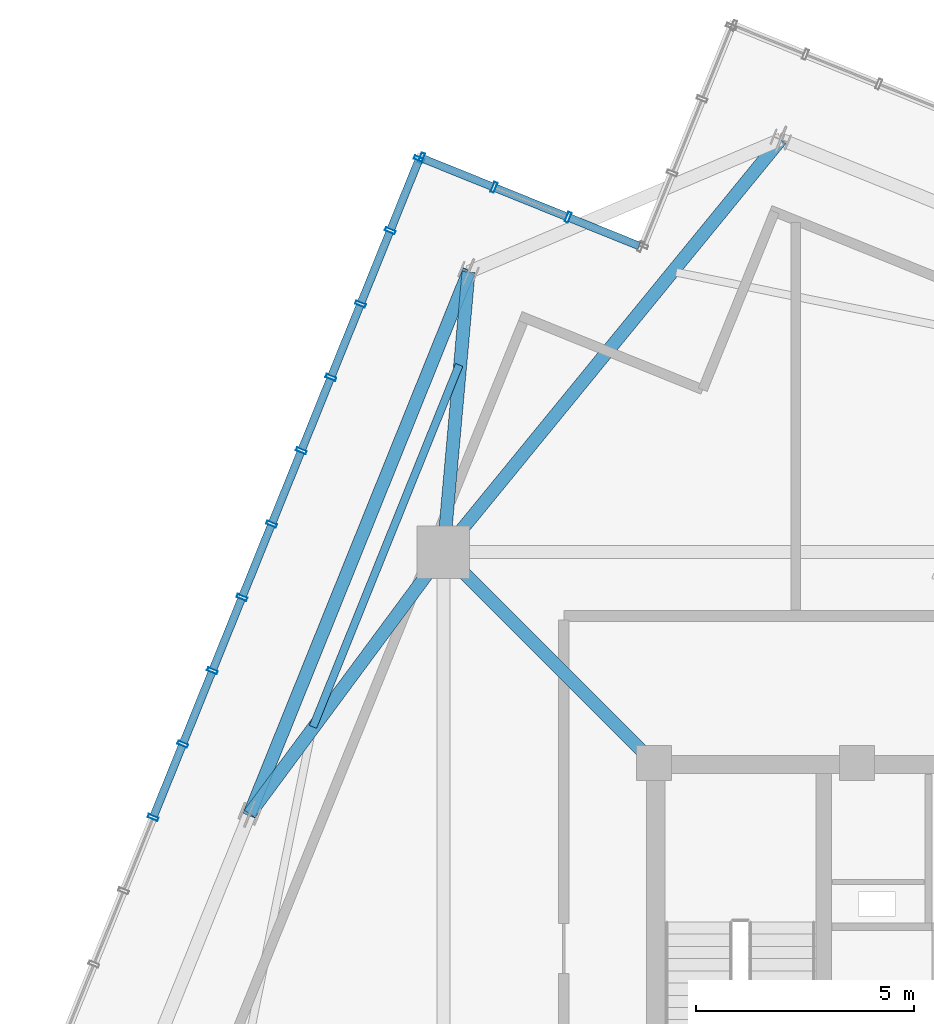
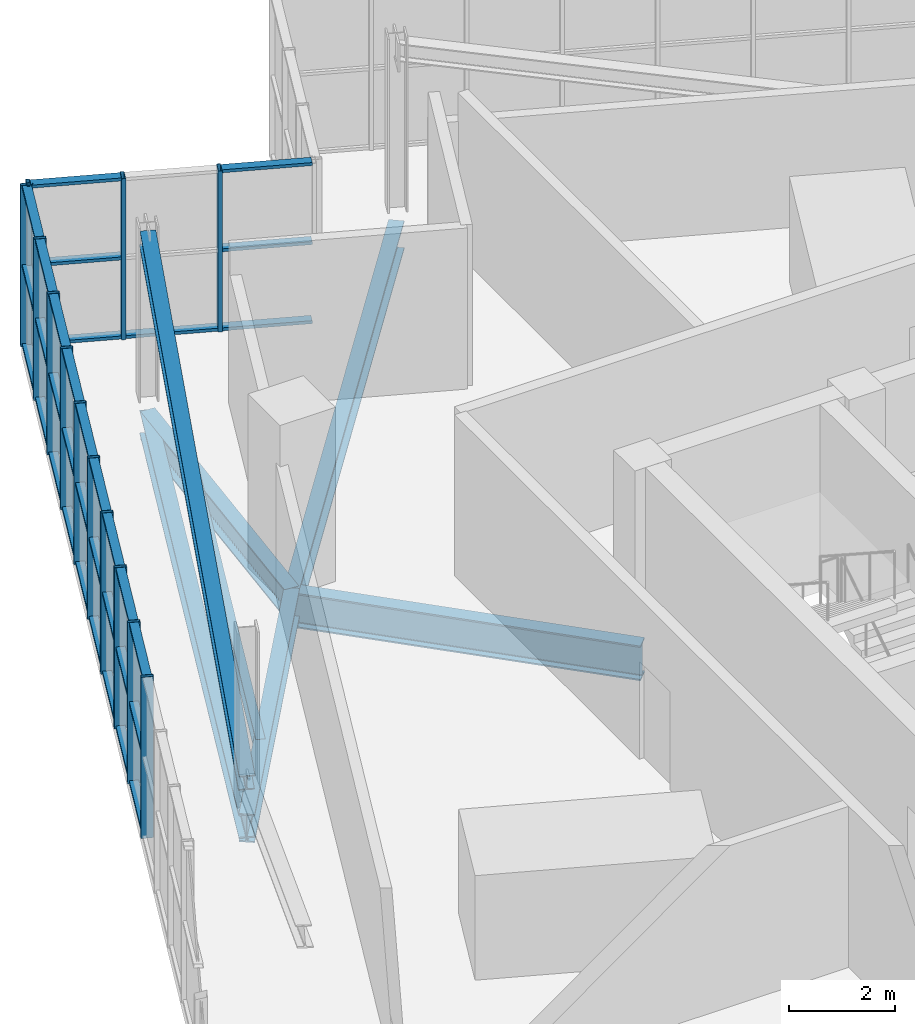
# One storey, part 12 of 26: 48 members, 6 beams, 2 elements without a shape of their own.
"""IFC4 building model written with IfcOpenShell, lengths in metres."""

import ifcopenshell
import ifcopenshell.guid

model = None  # the IFC model being written
_history = None  # IfcOwnerHistory: only IFC2X3 demands one
_inside = {}  # id of a spatial element -> (the spatial element, [elements in it])
_under = {}  # id of a project, library or spatial element -> (it, [spatial elements below it])
_declared = {}  # id of a project -> (the project, [libraries it declares])
_typed = {}  # id of a type object -> (the type object, [elements of that type])
_made_of = {}  # id of a material, layer set ... -> (it, [elements and type objects made of it])


def new_model(schema):
    """Start an empty IFC model of exactly this schema.

    Asked for "IFC4X3", IfcOpenShell would pick the latest addendum, in which some entities
    have other attributes; the version numbers below select the first issue.
    IFC2X3 requires an IfcOwnerHistory on every rooted entity: one is made here for all.
    """
    global model, _history
    if schema == "IFC4X3":
        model = ifcopenshell.file(schema_version=(4, 3, 0, 0))
    else:
        model = ifcopenshell.file(schema=schema)
    _inside.clear()
    _under.clear()
    _declared.clear()
    _typed.clear()
    _made_of.clear()
    _history = None
    if model.schema == "IFC2X3":
        org = make("IfcOrganization", Name="unknown")
        user = make(
            "IfcPersonAndOrganization",
            ThePerson=make("IfcPerson", FamilyName="unknown"),
            TheOrganization=org,
        )
        app = make(
            "IfcApplication",
            ApplicationDeveloper=org,
            Version="unknown",
            ApplicationFullName="unknown",
            ApplicationIdentifier="unknown",
        )
        _history = make(
            "IfcOwnerHistory",
            OwningUser=user,
            OwningApplication=app,
            ChangeAction="ADDED",
            CreationDate=0,
        )
    return model


def make(cls, **values):
    """One entity of the class cls with the attributes given. An attribute that is None is left unset."""
    return model.create_entity(
        cls, **{name: value for name, value in values.items() if value is not None}
    )


def rooted(cls, **values):
    """An entity with a GlobalId (a new one), such as an element, a storey or a relation."""
    return make(cls, GlobalId=ifcopenshell.guid.new(), OwnerHistory=_history, **values)


def si_unit(unit_type, name, prefix=None):
    """IfcSIUnit, for example si_unit("LENGTHUNIT", "METRE", prefix="MILLI")."""
    return make("IfcSIUnit", UnitType=unit_type, Prefix=prefix, Name=name)


def assignment(units):
    """IfcUnitAssignment: the units of a project."""
    return None if units is None else make("IfcUnitAssignment", Units=units)


def point(xyz):
    """IfcCartesianPoint."""
    return None if xyz is None else make("IfcCartesianPoint", Coordinates=xyz)


def direction(xyz):
    """IfcDirection."""
    return None if xyz is None else make("IfcDirection", DirectionRatios=xyz)


def frame(location, z_axis=None, x_axis=None):
    """IfcAxis2Placement3D, a coordinate frame: its origin and axes. An axis left out is left unset."""
    return make(
        "IfcAxis2Placement3D",
        Location=point(location),
        Axis=direction(z_axis),
        RefDirection=direction(x_axis),
    )


def frame_2d(location, x_axis=None):
    """IfcAxis2Placement2D, a coordinate frame in the plane: its origin and x axis."""
    return make(
        "IfcAxis2Placement2D", Location=point(location), RefDirection=direction(x_axis)
    )


def origin():
    """The frame at (0, 0, 0) with its axes left unset."""
    return frame((0.0, 0.0, 0.0))


def origin_2d():
    """The frame at (0, 0) in the plane with its x axis left unset."""
    return frame_2d((0.0, 0.0))


def place(relative_to, where):
    """IfcLocalPlacement: puts the frame where relative to a parent placement (None: the world)."""
    return make(
        "IfcLocalPlacement", PlacementRelTo=relative_to, RelativePlacement=where
    )


def context(
    kind, dimensions, precision=None, world=None, true_north=None, identifier=None
):
    """IfcGeometricRepresentationContext, for example the 3D "Model" context."""
    return make(
        "IfcGeometricRepresentationContext",
        ContextIdentifier=identifier,
        ContextType=kind,
        CoordinateSpaceDimension=dimensions,
        Precision=precision,
        WorldCoordinateSystem=world,
        TrueNorth=true_north,
    )


def subcontext(parent, identifier, kind, view, scale=None):
    """IfcGeometricRepresentationSubContext, for example "Body" below "Model"."""
    return make(
        "IfcGeometricRepresentationSubContext",
        ContextIdentifier=identifier,
        ContextType=kind,
        ParentContext=parent,
        TargetScale=scale,
        TargetView=view,
    )


def project(units=None, contexts=None):
    """IfcProject with its units and contexts."""
    return rooted(
        "IfcProject",
        Name="project",
        RepresentationContexts=contexts,
        UnitsInContext=assignment(units),
    )


def spatial(cls, under=None, at=None, **own):
    """A site, building, storey or space (cls), placed at a placement, below another one or the project."""
    s = rooted(cls, ObjectPlacement=at, **own)
    if under is not None:
        _under.setdefault(under.id(), (under, []))[1].append(s)
    return s


def profile(cls, at=None, kind="AREA", **sizes):
    """A parametric profile (cls). Its sizes go by their IFC names, for example OverallWidth=200.0."""
    return make(cls, ProfileType=kind, Position=at, **sizes)


def hollow_rectangle(**sizes):
    """IfcRectangleHollowProfileDef."""
    return profile("IfcRectangleHollowProfileDef", **sizes)


def i_section(**sizes):
    """IfcIShapeProfileDef."""
    return profile("IfcIShapeProfileDef", **sizes)


def extrude(swept, where, along, depth):
    """IfcExtrudedAreaSolid: the profile swept, set in the frame where, extruded along a direction by depth."""
    return make(
        "IfcExtrudedAreaSolid",
        SweptArea=swept,
        Position=where,
        ExtrudedDirection=direction(along),
        Depth=depth,
    )


def shape(context_of_items, identifier, shape_type, items):
    """IfcShapeRepresentation: the items that make up one representation, for example the "Body"."""
    return make(
        "IfcShapeRepresentation",
        ContextOfItems=context_of_items,
        RepresentationIdentifier=identifier,
        RepresentationType=shape_type,
        Items=items,
    )


def source(mapping_origin, context_of_items, identifier, shape_type, items):
    """IfcRepresentationMap: a shape defined once, which mapped items show again and again."""
    return make(
        "IfcRepresentationMap",
        MappingOrigin=mapping_origin,
        MappedRepresentation=shape(context_of_items, identifier, shape_type, items),
    )


def transform(
    local_origin,
    x_axis=None,
    y_axis=None,
    z_axis=None,
    scale=None,
    scale2=None,
    scale3=None,
    uniform=True,
):
    """IfcCartesianTransformationOperator3D, or its non-uniform kind. x_axis, y_axis, z_axis: its Axis1, 2, 3."""
    if uniform:
        return make(
            "IfcCartesianTransformationOperator3D",
            Axis1=direction(x_axis),
            Axis2=direction(y_axis),
            LocalOrigin=point(local_origin),
            Scale=scale,
            Axis3=direction(z_axis),
        )
    return make(
        "IfcCartesianTransformationOperator3DnonUniform",
        Axis1=direction(x_axis),
        Axis2=direction(y_axis),
        LocalOrigin=point(local_origin),
        Scale=scale,
        Axis3=direction(z_axis),
        Scale2=scale2,
        Scale3=scale3,
    )


def mapped(mapping_source, mapping_target):
    """IfcMappedItem: shows the shape of a source again, moved by a transform."""
    return make(
        "IfcMappedItem", MappingSource=mapping_source, MappingTarget=mapping_target
    )


def material(Name=None, Category=None):
    """IfcMaterial."""
    return make("IfcMaterial", Name=Name, Category=Category)


def layer(
    of_material, thickness, ventilated=None, Name=None, Category=None, Priority=None
):
    """IfcMaterialLayer: one layer of a wall or slab, of a material (None: an air gap)."""
    return make(
        "IfcMaterialLayer",
        Material=of_material,
        LayerThickness=thickness,
        IsVentilated=ventilated,
        Name=Name,
        Category=Category,
        Priority=Priority,
    )


def layer_set(layers, Name=None):
    """IfcMaterialLayerSet."""
    return make("IfcMaterialLayerSet", MaterialLayers=layers, LayerSetName=Name)


def material_profile(
    of_material, cross_section, Name=None, Category=None, Priority=None
):
    """IfcMaterialProfile: a cross section and its material."""
    return make(
        "IfcMaterialProfile",
        Name=Name,
        Material=of_material,
        Profile=cross_section,
        Priority=Priority,
        Category=Category,
    )


def profile_set(profiles, Name=None, composite=None):
    """IfcMaterialProfileSet."""
    return make(
        "IfcMaterialProfileSet",
        Name=Name,
        MaterialProfiles=profiles,
        CompositeProfile=composite,
    )


def made_of(thing, what):
    """Note that an element or type object is made of a material, layer set ...; save() writes the relation."""
    if what is not None:
        _made_of.setdefault(what.id(), (what, []))[1].append(thing)
    return thing


def type_object(cls, material=None, **own):
    """A type object (cls), such as IfcWallType, which elements share."""
    return made_of(rooted(cls, **own), material)


def element(
    cls,
    number,
    at=None,
    inside=None,
    cuts=None,
    type_object=None,
    material=None,
    context=None,
    identifier="Body",
    shape_type=None,
    held_by="IfcProductDefinitionShape",
    body=None,
    shapes=None,
    **own,
):
    """One element of the class cls, such as IfcWall. Its Tag is "e" and its number.

    at: its placement. inside: the storey or other place that contains it. cuts: it is an
    opening in that element (IfcRelVoidsElement). A single representation is given by context,
    identifier, shape_type and body (its items); several are given by shapes. held_by: the class
    of the entity that holds the representations. save() writes the other relations.
    """
    e = rooted(cls, Tag="e%d" % number, ObjectPlacement=at, **own)
    if body is not None:
        shapes = [shape(context, identifier, shape_type, body)]
    if shapes is not None:
        e.Representation = make(held_by, Representations=shapes)
    if inside is not None:
        _inside.setdefault(inside.id(), (inside, []))[1].append(e)
    if cuts is not None:
        rooted(
            "IfcRelVoidsElement", RelatingBuildingElement=cuts, RelatedOpeningElement=e
        )
    if type_object is not None:
        _typed.setdefault(type_object.id(), (type_object, []))[1].append(e)
    return made_of(e, material)


def aggregate(whole, parts):
    """IfcRelAggregates: a whole, such as a stair, and the parts it consists of."""
    return rooted("IfcRelAggregates", RelatingObject=whole, RelatedObjects=parts)


def save(model, path):
    """Write the relations noted so far, then the file.

    IfcRelAggregates (storeys below a building ...), IfcRelContainedInSpatialStructure (elements
    in a storey), IfcRelDefinesByType, IfcRelAssociatesMaterial and IfcRelDeclares: one each for
    every whole, place, type object, material and project.
    """
    for whole, parts in _under.values():
        aggregate(whole, parts)
    for where, things in _inside.values():
        rooted(
            "IfcRelContainedInSpatialStructure",
            RelatedElements=things,
            RelatingStructure=where,
        )
    for kind, things in _typed.values():
        rooted("IfcRelDefinesByType", RelatedObjects=things, RelatingType=kind)
    for what, things in _made_of.values():
        rooted("IfcRelAssociatesMaterial", RelatedObjects=things, RelatingMaterial=what)
    for by, libraries in _declared.values():
        rooted("IfcRelDeclares", RelatingContext=by, RelatedDefinitions=libraries)
    model.write(path)


model = new_model("IFC4")

# Units and contexts
model_context = context("Model", 3, precision=1e-05, world=origin(), true_north=direction((0.0, 1.0)))
body_context = subcontext(model_context, "Body", "Model", "MODEL_VIEW")
ifc_project = project(units=[si_unit("LENGTHUNIT", "METRE"), si_unit("AREAUNIT", "SQUARE_METRE"), si_unit("VOLUMEUNIT", "CUBIC_METRE"), si_unit("PLANEANGLEUNIT", "RADIAN"), si_unit("MASSUNIT", "GRAM", prefix="KILO"), si_unit("THERMODYNAMICTEMPERATUREUNIT", "KELVIN")], contexts=[model_context])

# Site, building, storey
site_placement = place(None, origin())
site = spatial("IfcSite", under=ifc_project, at=site_placement, CompositionType="ELEMENT")
building_placement = place(site_placement, origin())
building = spatial("IfcBuilding", under=site, at=building_placement, Name="Kosmvard Interchange Tower", CompositionType="ELEMENT")
storey_placement = place(building_placement, frame((0.0, 0.0, 333.60009765625)))
storey = spatial("IfcBuildingStorey", under=building, at=storey_placement, Name="L82", CompositionType="ELEMENT", Elevation=333.60009765625)

# Beam
ifc_material_1 = material(Name="Steel S355", Category="steel")
ifc_material_profile_1 = material_profile(ifc_material_1, i_section(OverallWidth=0.300048828125, OverallDepth=0.800048828125, WebThickness=0.017578125, FlangeThickness=0.032958984375, FilletRadius=0.027099609375, at=origin_2d()), Name="HEB 800")
ifc_profile_set_1 = profile_set([ifc_material_profile_1], Name="Steel S355")
beam_type_1 = type_object("IfcBeamType", Name="Primary Mega-Frame Girder HEB 800 S355", PredefinedType="BEAM", material=ifc_profile_set_1)
shared_shape_1 = source(origin(), body_context, "Body", "SweptSolid", [
    extrude(i_section(OverallWidth=0.300048828125, OverallDepth=0.800048828125, WebThickness=0.017578125, FlangeThickness=0.032958984375, FilletRadius=0.027099609375, at=origin_2d()), origin(), (0.0, 0.0, 1.0), 6.83203125),
])
beam_1_placement = place(storey_placement, frame((-8.25, 8.25, -0.7001953125), z_axis=(-0.707106781187, 0.707106781187, 0.0), x_axis=(-0.707106781187, -0.707106781187, 0.0)))
element("IfcBeam", 1, at=beam_1_placement, inside=storey, type_object=beam_type_1, Name="L82 Radial Mega-Frame Girder 4", PredefinedType="BEAM", context=body_context, shape_type="MappedRepresentation", body=[
    mapped(shared_shape_1, transform((0.0, 0.0, 0.0), scale=1.0)),
])

# Member
ifc_material_profile_2 = material_profile(ifc_material_1, i_section(OverallWidth=0.300048828125, OverallDepth=0.39990234375, WebThickness=0.013427734375, FlangeThickness=0.02392578125, FilletRadius=0.027099609375, at=origin_2d()), Name="HEB 400")
ifc_profile_set_2 = profile_set([ifc_material_profile_2], Name="Steel S355")
member_type_1 = type_object("IfcMemberType", Name="Lantern Crown Diagrid Brace HEB 400 S355", PredefinedType="BRACE", material=ifc_profile_set_2)
shared_shape_2 = source(origin(), body_context, "Body", "SweptSolid", [
    extrude(i_section(OverallWidth=0.300048828125, OverallDepth=0.39990234375, WebThickness=0.013427734375, FlangeThickness=0.02392578125, FilletRadius=0.027099609375, at=origin_2d()), origin(), (0.0, 0.0, 1.0), 13.78369140625),
])
member_1_placement = place(storey_placement, frame((-17.523681640625, 7.080078125, 0.419921875), z_axis=(0.364162635972, 0.901373372792, 0.234332279859), x_axis=(-0.927189515839, 0.374592580972, 0.0)))
element("IfcMember", 2, at=member_1_placement, inside=storey, type_object=member_type_1, Name="L82 Crown Lantern Diagrid Brace N1", PredefinedType="BRACE", context=body_context, shape_type="MappedRepresentation", body=[
    mapped(shared_shape_2, transform((0.0, 0.0, 0.0), scale=1.0)),
])

# Beams
ifc_material_profile_3 = material_profile(ifc_material_1, i_section(OverallWidth=0.300048828125, OverallDepth=0.550048828125, WebThickness=0.014892578125, FlangeThickness=0.029052734375, FilletRadius=0.027099609375, at=origin_2d()), Name="HEB 550")
ifc_profile_set_3 = profile_set([ifc_material_profile_3], Name="Steel S355")
beam_type_2 = type_object("IfcBeamType", Name="Crown Ring Cap Girder HEB 550 S355", PredefinedType="BEAM", material=ifc_profile_set_3)
shared_shape_3 = source(origin(), body_context, "Body", "SweptSolid", [
    extrude(i_section(OverallWidth=0.300048828125, OverallDepth=0.550048828125, WebThickness=0.014892578125, FlangeThickness=0.029052734375, FilletRadius=0.027099609375, at=origin_2d()), origin(), (0.0, 0.0, 1.0), 13.39990234375),
])
beam_2_placement = place(storey_placement, frame((-12.504150390625, 19.50439453125, -0.5751953125), z_axis=(-0.374592580972, -0.927189515839, 0.0), x_axis=(0.927189515839, -0.374592580972, 0.0)))
element("IfcBeam", 3, at=beam_2_placement, inside=storey, type_object=beam_type_2, Name="BM-L82-PR07", PredefinedType="BEAM", context=body_context, shape_type="MappedRepresentation", body=[
    mapped(shared_shape_3, transform((0.0, 0.0, 0.0), scale=1.0)),
])
ifc_material_profile_4 = material_profile(ifc_material_1, i_section(OverallWidth=0.300048828125, OverallDepth=0.64990234375, WebThickness=0.01611328125, FlangeThickness=0.031005859375, FilletRadius=0.027099609375, at=origin_2d()), Name="HEB 650")
ifc_profile_set_4 = profile_set([ifc_material_profile_4], Name="Steel S355")
beam_type_3 = type_object("IfcBeamType", Name="Primary Floor Girder HEB 650 S355", PredefinedType="BEAM", material=ifc_profile_set_4)
shared_shape_4 = source(origin(), body_context, "Body", "SweptSolid", [
    extrude(i_section(OverallWidth=0.300048828125, OverallDepth=0.64990234375, WebThickness=0.01611328125, FlangeThickness=0.031005859375, FilletRadius=0.027099609375, at=origin_2d()), origin(), (0.0, 0.0, 1.0), 6.44921875),
])
beam_3_placement = place(storey_placement, frame((-13.0810546875, 13.0810546875, -0.625), z_axis=(0.089453694068, 0.995990982197, 0.0), x_axis=(-0.995990982197, 0.089453694068, 0.0)))
element("IfcBeam", 4, at=beam_3_placement, inside=storey, type_object=beam_type_3, Name="BM-L82-RD07", PredefinedType="BEAM", context=body_context, shape_type="MappedRepresentation", body=[
    mapped(shared_shape_4, transform((0.0, 0.0, 0.0), scale=1.0)),
])
shared_shape_5 = source(origin(), body_context, "Body", "SweptSolid", [
    extrude(i_section(OverallWidth=0.300048828125, OverallDepth=0.64990234375, WebThickness=0.01611328125, FlangeThickness=0.031005859375, FilletRadius=0.027099609375, at=origin_2d()), origin(), (0.0, 0.0, 1.0), 7.466552734375),
])
beam_4_placement = place(storey_placement, frame((-13.0810546875, 13.0810546875, -0.625), z_axis=(-0.595007793491, -0.803719929879, 0.0), x_axis=(0.803719929879, -0.595007793491, 0.0)))
element("IfcBeam", 5, at=beam_4_placement, inside=storey, type_object=beam_type_3, Name="BM-L82-RD08", PredefinedType="BEAM", context=body_context, shape_type="MappedRepresentation", body=[
    mapped(shared_shape_5, transform((0.0, 0.0, 0.0), scale=1.0)),
])
shared_shape_6 = source(origin(), body_context, "Body", "SweptSolid", [
    extrude(i_section(OverallWidth=0.300048828125, OverallDepth=0.64990234375, WebThickness=0.01611328125, FlangeThickness=0.031005859375, FilletRadius=0.027099609375, at=origin_2d()), origin(), (0.0, 0.0, 1.0), 12.22265625),
])
beam_5_placement = place(storey_placement, frame((-13.0810546875, 13.0810546875, -0.625), z_axis=(0.632985408079, 0.774163725034, 0.0), x_axis=(-0.774163725034, 0.632985408079, 0.0)))
element("IfcBeam", 6, at=beam_5_placement, inside=storey, type_object=beam_type_3, Name="BM-L82-RD06", PredefinedType="BEAM", context=body_context, shape_type="MappedRepresentation", body=[
    mapped(shared_shape_6, transform((0.0, 0.0, 0.0), scale=1.0)),
])
ifc_material_profile_5 = material_profile(ifc_material_1, i_section(OverallWidth=0.179931640625, OverallDepth=0.39990234375, WebThickness=0.008544921875, FlangeThickness=0.013427734375, FilletRadius=0.02099609375, at=origin_2d()), Name="IPE 400")
ifc_profile_set_5 = profile_set([ifc_material_profile_5], Name="Steel S355")
beam_type_4 = type_object("IfcBeamType", Name="Upper-Zone Floor Joist IPE 400 S355", PredefinedType="JOIST", material=ifc_profile_set_5)
shared_shape_7 = source(origin(), body_context, "Body", "SweptSolid", [
    extrude(i_section(OverallWidth=0.179931640625, OverallDepth=0.39990234375, WebThickness=0.008544921875, FlangeThickness=0.013427734375, FilletRadius=0.02099609375, at=origin_2d()), origin(), (0.0, 0.0, 1.0), 8.9521484375),
])
beam_6_placement = place(storey_placement, frame((-12.71875, 17.374755859375, -0.5), z_axis=(-0.374581187736, -0.927194118723, 0.0), x_axis=(0.927194118723, -0.374581187736, 0.0)))
element("IfcBeam", 7, at=beam_6_placement, inside=storey, type_object=beam_type_4, Name="BM-L82-FJ05", PredefinedType="JOIST", context=body_context, shape_type="MappedRepresentation", body=[
    mapped(shared_shape_7, transform((0.0, 0.0, 0.0), scale=1.0)),
])

# Curtain wall, members
ifc_material_2 = material(Name="Architectural anodised aluminium", Category="aluminium")
ifc_layer = layer(ifc_material_2, 0.25, Name="Architectural anodised aluminium")
ifc_layer_set = layer_set([ifc_layer], Name="Architectural anodised aluminium")
curtain_wall_type = type_object("IfcCurtainWallType", Name="CW-6 Illuminated Crown Lantern Curtain Wall", PredefinedType="NOTDEFINED", material=ifc_layer_set)
curtain_wall_1_placement = place(storey_placement, origin())
curtain_wall_1 = element("IfcCurtainWall", 8, at=curtain_wall_1_placement, inside=storey, type_object=curtain_wall_type, Name="L82 Crown Lantern Glazing Face 06", PredefinedType="NOTDEFINED")
ifc_material_profile_6 = material_profile(ifc_material_2, hollow_rectangle(XDim=0.239990234375, YDim=0.080078125, WallThickness=0.006103515625, at=origin_2d()), Name="CWM 240x80x6")
ifc_profile_set_6 = profile_set([ifc_material_profile_6], Name="Architectural anodised aluminium")
member_type_2 = type_object("IfcMemberType", Name="Lantern & Observation CW Mullion 240x80 Aluminium", PredefinedType="MULLION", material=ifc_profile_set_6)
shared_shape_8 = source(origin(), body_context, "Body", "SweptSolid", [
    extrude(hollow_rectangle(XDim=0.239990234375, YDim=0.080078125, WallThickness=0.006103515625, at=origin_2d()), origin(), (0.0, 0.0, 1.0), 3.699951171875),
])
member_2_placement = place(storey_placement, frame((-10.220458984375, 20.760498046875, 0.0), z_axis=(0.0, 0.0, 1.0), x_axis=(-0.374606501678, -0.927183891631, 0.0)))
member_2 = element("IfcMember", 9, at=member_2_placement, type_object=member_type_2, Name="CW-6 mullion 2", PredefinedType="MULLION", context=body_context, shape_type="MappedRepresentation", body=[
    mapped(shared_shape_8, transform((0.0, 0.0, 0.0), scale=1.0)),
])
member_3_placement = place(storey_placement, frame((-11.92041015625, 21.447265625, 0.0), z_axis=(0.0, 0.0, 1.0), x_axis=(-0.374606501678, -0.927183891631, 0.0)))
member_3 = element("IfcMember", 10, at=member_3_placement, type_object=member_type_2, Name="CW-6 mullion 3", PredefinedType="MULLION", context=body_context, shape_type="MappedRepresentation", body=[
    mapped(shared_shape_8, transform((0.0, 0.0, 0.0), scale=1.0)),
])
member_4_placement = place(storey_placement, frame((-13.583251953125, 22.118896484375, 0.0), z_axis=(0.0, 0.0, 1.0), x_axis=(-0.374606501678, -0.927183891631, 0.0)))
member_4 = element("IfcMember", 11, at=member_4_placement, type_object=member_type_2, Name="CW-6 mullion 4", PredefinedType="MULLION", context=body_context, shape_type="MappedRepresentation", body=[
    mapped(shared_shape_8, transform((0.0, 0.0, 0.0), scale=1.0)),
])

curtain_wall_2_placement = place(storey_placement, origin())
curtain_wall_2 = element("IfcCurtainWall", 12, at=curtain_wall_2_placement, inside=storey, type_object=curtain_wall_type, Name="L82 Crown Lantern Glazing Face 07", PredefinedType="NOTDEFINED")
member_5_placement = place(storey_placement, frame((-13.63525390625, 22.096923828125, 0.0), z_axis=(0.0, 0.0, 1.0), x_axis=(0.927183858065, -0.374606584758, 0.0)))
member_5 = element("IfcMember", 13, at=member_5_placement, type_object=member_type_2, Name="CW-6 mullion 1", PredefinedType="MULLION", context=body_context, shape_type="MappedRepresentation", body=[
    mapped(shared_shape_8, transform((0.0, 0.0, 0.0), scale=1.0)),
])
member_6_placement = place(storey_placement, frame((-14.2998046875, 20.451904296875, 0.0), z_axis=(0.0, 0.0, 1.0), x_axis=(0.927183858065, -0.374606584758, 0.0)))
member_6 = element("IfcMember", 14, at=member_6_placement, type_object=member_type_2, Name="CW-6 mullion 2", PredefinedType="MULLION", context=body_context, shape_type="MappedRepresentation", body=[
    mapped(shared_shape_8, transform((0.0, 0.0, 0.0), scale=1.0)),
])
member_7_placement = place(storey_placement, frame((-14.9794921875, 18.77001953125, 0.0), z_axis=(0.0, 0.0, 1.0), x_axis=(0.927183858065, -0.374606584758, 0.0)))
member_7 = element("IfcMember", 15, at=member_7_placement, type_object=member_type_2, Name="CW-6 mullion 3", PredefinedType="MULLION", context=body_context, shape_type="MappedRepresentation", body=[
    mapped(shared_shape_8, transform((0.0, 0.0, 0.0), scale=1.0)),
])
member_8_placement = place(storey_placement, frame((-15.658935546875, 17.087890625, 0.0), z_axis=(0.0, 0.0, 1.0), x_axis=(0.927183858065, -0.374606584758, 0.0)))
member_8 = element("IfcMember", 16, at=member_8_placement, type_object=member_type_2, Name="CW-6 mullion 4", PredefinedType="MULLION", context=body_context, shape_type="MappedRepresentation", body=[
    mapped(shared_shape_8, transform((0.0, 0.0, 0.0), scale=1.0)),
])
member_9_placement = place(storey_placement, frame((-16.338623046875, 15.40576171875, 0.0), z_axis=(0.0, 0.0, 1.0), x_axis=(0.927183858065, -0.374606584758, 0.0)))
member_9 = element("IfcMember", 17, at=member_9_placement, type_object=member_type_2, Name="CW-6 mullion 5", PredefinedType="MULLION", context=body_context, shape_type="MappedRepresentation", body=[
    mapped(shared_shape_8, transform((0.0, 0.0, 0.0), scale=1.0)),
])
member_10_placement = place(storey_placement, frame((-17.01806640625, 13.723876953125, 0.0), z_axis=(0.0, 0.0, 1.0), x_axis=(0.927183858065, -0.374606584758, 0.0)))
member_10 = element("IfcMember", 18, at=member_10_placement, type_object=member_type_2, Name="CW-6 mullion 6", PredefinedType="MULLION", context=body_context, shape_type="MappedRepresentation", body=[
    mapped(shared_shape_8, transform((0.0, 0.0, 0.0), scale=1.0)),
])
member_11_placement = place(storey_placement, frame((-17.69775390625, 12.041748046875, 0.0), z_axis=(0.0, 0.0, 1.0), x_axis=(0.927183858065, -0.374606584758, 0.0)))
member_11 = element("IfcMember", 19, at=member_11_placement, type_object=member_type_2, Name="CW-6 mullion 7", PredefinedType="MULLION", context=body_context, shape_type="MappedRepresentation", body=[
    mapped(shared_shape_8, transform((0.0, 0.0, 0.0), scale=1.0)),
])
member_12_placement = place(storey_placement, frame((-18.377197265625, 10.35986328125, 0.0), z_axis=(0.0, 0.0, 1.0), x_axis=(0.927183858065, -0.374606584758, 0.0)))
member_12 = element("IfcMember", 20, at=member_12_placement, type_object=member_type_2, Name="CW-6 mullion 8", PredefinedType="MULLION", context=body_context, shape_type="MappedRepresentation", body=[
    mapped(shared_shape_8, transform((0.0, 0.0, 0.0), scale=1.0)),
])
member_13_placement = place(storey_placement, frame((-19.056884765625, 8.677734375, 0.0), z_axis=(0.0, 0.0, 1.0), x_axis=(0.927183858065, -0.374606584758, 0.0)))
member_13 = element("IfcMember", 21, at=member_13_placement, type_object=member_type_2, Name="CW-6 mullion 9", PredefinedType="MULLION", context=body_context, shape_type="MappedRepresentation", body=[
    mapped(shared_shape_8, transform((0.0, 0.0, 0.0), scale=1.0)),
])
member_14_placement = place(storey_placement, frame((-19.736572265625, 6.995849609375, 0.0), z_axis=(0.0, 0.0, 1.0), x_axis=(0.927183858065, -0.374606584758, 0.0)))
member_14 = element("IfcMember", 22, at=member_14_placement, type_object=member_type_2, Name="CW-6 mullion 10", PredefinedType="MULLION", context=body_context, shape_type="MappedRepresentation", body=[
    mapped(shared_shape_8, transform((0.0, 0.0, 0.0), scale=1.0)),
])
ifc_material_profile_7 = material_profile(ifc_material_2, hollow_rectangle(XDim=0.179931640625, YDim=0.070068359375, WallThickness=0.0048828125, at=origin_2d()), Name="CWT 180x70x5")
ifc_profile_set_7 = profile_set([ifc_material_profile_7], Name="Architectural anodised aluminium")
member_type_3 = type_object("IfcMemberType", Name="Heavy Lantern CW Transom 180x70 Aluminium", PredefinedType="USERDEFINED", material=ifc_profile_set_7)
shared_shape_9 = source(origin(), body_context, "Body", "SweptSolid", [
    extrude(hollow_rectangle(XDim=0.179931640625, YDim=0.070068359375, WallThickness=0.0048828125, at=origin_2d()), origin(), (0.0, 0.0, 1.0), 1.694091796875),
])
member_15_placement = place(storey_placement, frame((-13.650146484375, 22.059814453125, 0.034912109375), z_axis=(-0.374667946298, -0.927159064032, 0.0), x_axis=(0.927159064032, -0.374667946298, 0.0)))
member_15 = element("IfcMember", 23, at=member_15_placement, type_object=member_type_3, Name="CW-6 transom 1.1", ObjectType="TRANSOM", PredefinedType="USERDEFINED", context=body_context, shape_type="MappedRepresentation", body=[
    mapped(shared_shape_9, transform((0.0, 0.0, 0.0), scale=1.0)),
])
member_16_placement = place(storey_placement, frame((-13.650146484375, 22.059814453125, 1.849853515625), z_axis=(-0.374667946298, -0.927159064032, 0.0), x_axis=(0.927159064032, -0.374667946298, 0.0)))
member_16 = element("IfcMember", 24, at=member_16_placement, type_object=member_type_3, Name="CW-6 transom 1.2", ObjectType="TRANSOM", PredefinedType="USERDEFINED", context=body_context, shape_type="MappedRepresentation", body=[
    mapped(shared_shape_9, transform((0.0, 0.0, 0.0), scale=1.0)),
])
member_17_placement = place(storey_placement, frame((-13.650146484375, 22.059814453125, 3.664794921875), z_axis=(-0.374667946298, -0.927159064032, 0.0), x_axis=(0.927159064032, -0.374667946298, 0.0)))
member_17 = element("IfcMember", 25, at=member_17_placement, type_object=member_type_3, Name="CW-6 transom 1.3", ObjectType="TRANSOM", PredefinedType="USERDEFINED", context=body_context, shape_type="MappedRepresentation", body=[
    mapped(shared_shape_9, transform((0.0, 0.0, 0.0), scale=1.0)),
])
shared_shape_10 = source(origin(), body_context, "Body", "SweptSolid", [
    extrude(hollow_rectangle(XDim=0.179931640625, YDim=0.070068359375, WallThickness=0.0048828125, at=origin_2d()), origin(), (0.0, 0.0, 1.0), 1.734130859375),
])
member_18_placement = place(storey_placement, frame((-14.314697265625, 20.414794921875, 0.034912109375), z_axis=(-0.374616671924, -0.927179782522, 0.0), x_axis=(0.927179782522, -0.374616671924, 0.0)))
member_18 = element("IfcMember", 26, at=member_18_placement, type_object=member_type_3, Name="CW-6 transom 2.1", ObjectType="TRANSOM", PredefinedType="USERDEFINED", context=body_context, shape_type="MappedRepresentation", body=[
    mapped(shared_shape_10, transform((0.0, 0.0, 0.0), scale=1.0)),
])
member_19_placement = place(storey_placement, frame((-14.314697265625, 20.414794921875, 1.849853515625), z_axis=(-0.374616671924, -0.927179782522, 0.0), x_axis=(0.927179782522, -0.374616671924, 0.0)))
member_19 = element("IfcMember", 27, at=member_19_placement, type_object=member_type_3, Name="CW-6 transom 2.2", ObjectType="TRANSOM", PredefinedType="USERDEFINED", context=body_context, shape_type="MappedRepresentation", body=[
    mapped(shared_shape_10, transform((0.0, 0.0, 0.0), scale=1.0)),
])
member_20_placement = place(storey_placement, frame((-14.314697265625, 20.414794921875, 3.664794921875), z_axis=(-0.374616671924, -0.927179782522, 0.0), x_axis=(0.927179782522, -0.374616671924, 0.0)))
member_20 = element("IfcMember", 28, at=member_20_placement, type_object=member_type_3, Name="CW-6 transom 2.3", ObjectType="TRANSOM", PredefinedType="USERDEFINED", context=body_context, shape_type="MappedRepresentation", body=[
    mapped(shared_shape_10, transform((0.0, 0.0, 0.0), scale=1.0)),
])
member_21_placement = place(storey_placement, frame((-14.994384765625, 18.73291015625, 0.034912109375), z_axis=(-0.374616671924, -0.927179782522, 0.0), x_axis=(0.927179782522, -0.374616671924, 0.0)))
member_21 = element("IfcMember", 29, at=member_21_placement, type_object=member_type_3, Name="CW-6 transom 3.1", ObjectType="TRANSOM", PredefinedType="USERDEFINED", context=body_context, shape_type="MappedRepresentation", body=[
    mapped(shared_shape_10, transform((0.0, 0.0, 0.0), scale=1.0)),
])
member_22_placement = place(storey_placement, frame((-14.994384765625, 18.73291015625, 1.849853515625), z_axis=(-0.374616671924, -0.927179782522, 0.0), x_axis=(0.927179782522, -0.374616671924, 0.0)))
member_22 = element("IfcMember", 30, at=member_22_placement, type_object=member_type_3, Name="CW-6 transom 3.2", ObjectType="TRANSOM", PredefinedType="USERDEFINED", context=body_context, shape_type="MappedRepresentation", body=[
    mapped(shared_shape_10, transform((0.0, 0.0, 0.0), scale=1.0)),
])
member_23_placement = place(storey_placement, frame((-14.994384765625, 18.73291015625, 3.664794921875), z_axis=(-0.374616671924, -0.927179782522, 0.0), x_axis=(0.927179782522, -0.374616671924, 0.0)))
member_23 = element("IfcMember", 31, at=member_23_placement, type_object=member_type_3, Name="CW-6 transom 3.3", ObjectType="TRANSOM", PredefinedType="USERDEFINED", context=body_context, shape_type="MappedRepresentation", body=[
    mapped(shared_shape_10, transform((0.0, 0.0, 0.0), scale=1.0)),
])
member_24_placement = place(storey_placement, frame((-15.674072265625, 17.05078125, 0.034912109375), z_axis=(-0.374495638732, -0.927228675447, 0.0), x_axis=(0.927228675447, -0.374495638732, 0.0)))
member_24 = element("IfcMember", 32, at=member_24_placement, type_object=member_type_3, Name="CW-6 transom 4.1", ObjectType="TRANSOM", PredefinedType="USERDEFINED", context=body_context, shape_type="MappedRepresentation", body=[
    mapped(shared_shape_10, transform((0.0, 0.0, 0.0), scale=1.0)),
])
member_25_placement = place(storey_placement, frame((-15.674072265625, 17.05078125, 1.849853515625), z_axis=(-0.374495638732, -0.927228675447, 0.0), x_axis=(0.927228675447, -0.374495638732, 0.0)))
member_25 = element("IfcMember", 33, at=member_25_placement, type_object=member_type_3, Name="CW-6 transom 4.2", ObjectType="TRANSOM", PredefinedType="USERDEFINED", context=body_context, shape_type="MappedRepresentation", body=[
    mapped(shared_shape_10, transform((0.0, 0.0, 0.0), scale=1.0)),
])
member_26_placement = place(storey_placement, frame((-15.674072265625, 17.05078125, 3.664794921875), z_axis=(-0.374495638732, -0.927228675447, 0.0), x_axis=(0.927228675447, -0.374495638732, 0.0)))
member_26 = element("IfcMember", 34, at=member_26_placement, type_object=member_type_3, Name="CW-6 transom 4.3", ObjectType="TRANSOM", PredefinedType="USERDEFINED", context=body_context, shape_type="MappedRepresentation", body=[
    mapped(shared_shape_10, transform((0.0, 0.0, 0.0), scale=1.0)),
])
member_27_placement = place(storey_placement, frame((-16.353515625, 15.368896484375, 0.034912109375), z_axis=(-0.374616671924, -0.927179782522, 0.0), x_axis=(0.927179782522, -0.374616671924, 0.0)))
member_27 = element("IfcMember", 35, at=member_27_placement, type_object=member_type_3, Name="CW-6 transom 5.1", ObjectType="TRANSOM", PredefinedType="USERDEFINED", context=body_context, shape_type="MappedRepresentation", body=[
    mapped(shared_shape_10, transform((0.0, 0.0, 0.0), scale=1.0)),
])
member_28_placement = place(storey_placement, frame((-16.353515625, 15.368896484375, 1.849853515625), z_axis=(-0.374616671924, -0.927179782522, 0.0), x_axis=(0.927179782522, -0.374616671924, 0.0)))
member_28 = element("IfcMember", 36, at=member_28_placement, type_object=member_type_3, Name="CW-6 transom 5.2", ObjectType="TRANSOM", PredefinedType="USERDEFINED", context=body_context, shape_type="MappedRepresentation", body=[
    mapped(shared_shape_10, transform((0.0, 0.0, 0.0), scale=1.0)),
])
member_29_placement = place(storey_placement, frame((-16.353515625, 15.368896484375, 3.664794921875), z_axis=(-0.374616671924, -0.927179782522, 0.0), x_axis=(0.927179782522, -0.374616671924, 0.0)))
member_29 = element("IfcMember", 37, at=member_29_placement, type_object=member_type_3, Name="CW-6 transom 5.3", ObjectType="TRANSOM", PredefinedType="USERDEFINED", context=body_context, shape_type="MappedRepresentation", body=[
    mapped(shared_shape_10, transform((0.0, 0.0, 0.0), scale=1.0)),
])
member_30_placement = place(storey_placement, frame((-17.033203125, 13.686767578125, 0.034912109375), z_axis=(-0.374616671924, -0.927179782522, 0.0), x_axis=(0.927179782522, -0.374616671924, 0.0)))
member_30 = element("IfcMember", 38, at=member_30_placement, type_object=member_type_3, Name="CW-6 transom 6.1", ObjectType="TRANSOM", PredefinedType="USERDEFINED", context=body_context, shape_type="MappedRepresentation", body=[
    mapped(shared_shape_10, transform((0.0, 0.0, 0.0), scale=1.0)),
])
member_31_placement = place(storey_placement, frame((-17.033203125, 13.686767578125, 1.849853515625), z_axis=(-0.374616671924, -0.927179782522, 0.0), x_axis=(0.927179782522, -0.374616671924, 0.0)))
member_31 = element("IfcMember", 39, at=member_31_placement, type_object=member_type_3, Name="CW-6 transom 6.2", ObjectType="TRANSOM", PredefinedType="USERDEFINED", context=body_context, shape_type="MappedRepresentation", body=[
    mapped(shared_shape_10, transform((0.0, 0.0, 0.0), scale=1.0)),
])
member_32_placement = place(storey_placement, frame((-17.033203125, 13.686767578125, 3.664794921875), z_axis=(-0.374616671924, -0.927179782522, 0.0), x_axis=(0.927179782522, -0.374616671924, 0.0)))
member_32 = element("IfcMember", 40, at=member_32_placement, type_object=member_type_3, Name="CW-6 transom 6.3", ObjectType="TRANSOM", PredefinedType="USERDEFINED", context=body_context, shape_type="MappedRepresentation", body=[
    mapped(shared_shape_10, transform((0.0, 0.0, 0.0), scale=1.0)),
])
member_33_placement = place(storey_placement, frame((-18.392333984375, 10.32275390625, 0.034912109375), z_axis=(-0.374616671924, -0.927179782522, 0.0), x_axis=(0.927179782522, -0.374616671924, 0.0)))
member_33 = element("IfcMember", 41, at=member_33_placement, type_object=member_type_3, Name="CW-6 transom 8.1", ObjectType="TRANSOM", PredefinedType="USERDEFINED", context=body_context, shape_type="MappedRepresentation", body=[
    mapped(shared_shape_10, transform((0.0, 0.0, 0.0), scale=1.0)),
])
member_34_placement = place(storey_placement, frame((-18.392333984375, 10.32275390625, 1.849853515625), z_axis=(-0.374616671924, -0.927179782522, 0.0), x_axis=(0.927179782522, -0.374616671924, 0.0)))
member_34 = element("IfcMember", 42, at=member_34_placement, type_object=member_type_3, Name="CW-6 transom 8.2", ObjectType="TRANSOM", PredefinedType="USERDEFINED", context=body_context, shape_type="MappedRepresentation", body=[
    mapped(shared_shape_10, transform((0.0, 0.0, 0.0), scale=1.0)),
])
member_35_placement = place(storey_placement, frame((-18.392333984375, 10.32275390625, 3.664794921875), z_axis=(-0.374616671924, -0.927179782522, 0.0), x_axis=(0.927179782522, -0.374616671924, 0.0)))
member_35 = element("IfcMember", 43, at=member_35_placement, type_object=member_type_3, Name="CW-6 transom 8.3", ObjectType="TRANSOM", PredefinedType="USERDEFINED", context=body_context, shape_type="MappedRepresentation", body=[
    mapped(shared_shape_10, transform((0.0, 0.0, 0.0), scale=1.0)),
])
shared_shape_11 = source(origin(), body_context, "Body", "SweptSolid", [
    extrude(hollow_rectangle(XDim=0.179931640625, YDim=0.070068359375, WallThickness=0.0048828125, at=origin_2d()), origin(), (0.0, 0.0, 1.0), 1.73388671875),
])
member_36_placement = place(storey_placement, frame((-17.712646484375, 12.004638671875, 0.034912109375), z_axis=(-0.374665576032, -0.927160021861, 0.0), x_axis=(0.927160021861, -0.374665576032, 0.0)))
member_36 = element("IfcMember", 44, at=member_36_placement, type_object=member_type_3, Name="CW-6 transom 7.1", ObjectType="TRANSOM", PredefinedType="USERDEFINED", context=body_context, shape_type="MappedRepresentation", body=[
    mapped(shared_shape_11, transform((0.0, 0.0, 0.0), scale=1.0)),
])
member_37_placement = place(storey_placement, frame((-17.712646484375, 12.004638671875, 1.849853515625), z_axis=(-0.374665576032, -0.927160021861, 0.0), x_axis=(0.927160021861, -0.374665576032, 0.0)))
member_37 = element("IfcMember", 45, at=member_37_placement, type_object=member_type_3, Name="CW-6 transom 7.2", ObjectType="TRANSOM", PredefinedType="USERDEFINED", context=body_context, shape_type="MappedRepresentation", body=[
    mapped(shared_shape_11, transform((0.0, 0.0, 0.0), scale=1.0)),
])
member_38_placement = place(storey_placement, frame((-17.712646484375, 12.004638671875, 3.664794921875), z_axis=(-0.374665576032, -0.927160021861, 0.0), x_axis=(0.927160021861, -0.374665576032, 0.0)))
member_38 = element("IfcMember", 46, at=member_38_placement, type_object=member_type_3, Name="CW-6 transom 7.3", ObjectType="TRANSOM", PredefinedType="USERDEFINED", context=body_context, shape_type="MappedRepresentation", body=[
    mapped(shared_shape_11, transform((0.0, 0.0, 0.0), scale=1.0)),
])
member_39_placement = place(storey_placement, frame((-19.07177734375, 8.640625, 0.034912109375), z_axis=(-0.374665576032, -0.927160021861, 0.0), x_axis=(0.927160021861, -0.374665576032, 0.0)))
member_39 = element("IfcMember", 47, at=member_39_placement, type_object=member_type_3, Name="CW-6 transom 9.1", ObjectType="TRANSOM", PredefinedType="USERDEFINED", context=body_context, shape_type="MappedRepresentation", body=[
    mapped(shared_shape_11, transform((0.0, 0.0, 0.0), scale=1.0)),
])
member_40_placement = place(storey_placement, frame((-19.07177734375, 8.640625, 1.849853515625), z_axis=(-0.374665576032, -0.927160021861, 0.0), x_axis=(0.927160021861, -0.374665576032, 0.0)))
member_40 = element("IfcMember", 48, at=member_40_placement, type_object=member_type_3, Name="CW-6 transom 9.2", ObjectType="TRANSOM", PredefinedType="USERDEFINED", context=body_context, shape_type="MappedRepresentation", body=[
    mapped(shared_shape_11, transform((0.0, 0.0, 0.0), scale=1.0)),
])
member_41_placement = place(storey_placement, frame((-19.07177734375, 8.640625, 3.664794921875), z_axis=(-0.374665576032, -0.927160021861, 0.0), x_axis=(0.927160021861, -0.374665576032, 0.0)))
member_41 = element("IfcMember", 49, at=member_41_placement, type_object=member_type_3, Name="CW-6 transom 9.3", ObjectType="TRANSOM", PredefinedType="USERDEFINED", context=body_context, shape_type="MappedRepresentation", body=[
    mapped(shared_shape_11, transform((0.0, 0.0, 0.0), scale=1.0)),
])
aggregate(curtain_wall_2, [member_5, member_6, member_7, member_8, member_9, member_10, member_11, member_12, member_13, member_14, member_15, member_16, member_17, member_18, member_19, member_20, member_21, member_22, member_23, member_24, member_25, member_26, member_27, member_28, member_29, member_30, member_31, member_32, member_36, member_37, member_38, member_33, member_34, member_35, member_39, member_40, member_41])

# Member
shared_shape_12 = source(origin(), body_context, "Body", "SweptSolid", [
    extrude(hollow_rectangle(XDim=0.179931640625, YDim=0.070068359375, WallThickness=0.0048828125, at=origin_2d()), origin(), (0.0, 0.0, 1.0), 1.71337890625),
])
member_42_placement = place(storey_placement, frame((-8.594970703125, 20.103515625, 0.034912109375), z_axis=(-0.927183787829, 0.374606758599, 0.0), x_axis=(-0.374606758599, -0.927183787829, 0.0)))
member_42 = element("IfcMember", 50, at=member_42_placement, type_object=member_type_3, Name="CW-6 transom 1.1", ObjectType="TRANSOM", PredefinedType="USERDEFINED", context=body_context, shape_type="MappedRepresentation", body=[
    mapped(shared_shape_12, transform((0.0, 0.0, 0.0), scale=1.0)),
])

member_43_placement = place(storey_placement, frame((-8.594970703125, 20.103515625, 1.849853515625), z_axis=(-0.927183787829, 0.374606758599, 0.0), x_axis=(-0.374606758599, -0.927183787829, 0.0)))
member_43 = element("IfcMember", 51, at=member_43_placement, type_object=member_type_3, Name="CW-6 transom 1.2", ObjectType="TRANSOM", PredefinedType="USERDEFINED", context=body_context, shape_type="MappedRepresentation", body=[
    mapped(shared_shape_12, transform((0.0, 0.0, 0.0), scale=1.0)),
])

member_44_placement = place(storey_placement, frame((-8.594970703125, 20.103515625, 3.664794921875), z_axis=(-0.927183787829, 0.374606758599, 0.0), x_axis=(-0.374606758599, -0.927183787829, 0.0)))
member_44 = element("IfcMember", 52, at=member_44_placement, type_object=member_type_3, Name="CW-6 transom 1.3", ObjectType="TRANSOM", PredefinedType="USERDEFINED", context=body_context, shape_type="MappedRepresentation", body=[
    mapped(shared_shape_12, transform((0.0, 0.0, 0.0), scale=1.0)),
])

member_45_placement = place(storey_placement, frame((-11.95751953125, 21.462158203125, 0.034912109375), z_axis=(-0.927183787829, 0.374606758599, 0.0), x_axis=(-0.374606758599, -0.927183787829, 0.0)))
member_45 = element("IfcMember", 53, at=member_45_placement, type_object=member_type_3, Name="CW-6 transom 3.1", ObjectType="TRANSOM", PredefinedType="USERDEFINED", context=body_context, shape_type="MappedRepresentation", body=[
    mapped(shared_shape_12, transform((0.0, 0.0, 0.0), scale=1.0)),
])

member_46_placement = place(storey_placement, frame((-11.95751953125, 21.462158203125, 1.849853515625), z_axis=(-0.927183787829, 0.374606758599, 0.0), x_axis=(-0.374606758599, -0.927183787829, 0.0)))
member_46 = element("IfcMember", 54, at=member_46_placement, type_object=member_type_3, Name="CW-6 transom 3.2", ObjectType="TRANSOM", PredefinedType="USERDEFINED", context=body_context, shape_type="MappedRepresentation", body=[
    mapped(shared_shape_12, transform((0.0, 0.0, 0.0), scale=1.0)),
])

member_47_placement = place(storey_placement, frame((-11.95751953125, 21.462158203125, 3.664794921875), z_axis=(-0.927183787829, 0.374606758599, 0.0), x_axis=(-0.374606758599, -0.927183787829, 0.0)))
member_47 = element("IfcMember", 55, at=member_47_placement, type_object=member_type_3, Name="CW-6 transom 3.3", ObjectType="TRANSOM", PredefinedType="USERDEFINED", context=body_context, shape_type="MappedRepresentation", body=[
    mapped(shared_shape_12, transform((0.0, 0.0, 0.0), scale=1.0)),
])

shared_shape_13 = source(origin(), body_context, "Body", "SweptSolid", [
    extrude(hollow_rectangle(XDim=0.179931640625, YDim=0.070068359375, WallThickness=0.0048828125, at=origin_2d()), origin(), (0.0, 0.0, 1.0), 1.75341796875),
])
member_48_placement = place(storey_placement, frame((-10.257568359375, 20.775390625, 0.034912109375), z_axis=(-0.927203712676, 0.37455743912, 0.0), x_axis=(-0.37455743912, -0.927203712676, 0.0)))
member_48 = element("IfcMember", 56, at=member_48_placement, type_object=member_type_3, Name="CW-6 transom 2.1", ObjectType="TRANSOM", PredefinedType="USERDEFINED", context=body_context, shape_type="MappedRepresentation", body=[
    mapped(shared_shape_13, transform((0.0, 0.0, 0.0), scale=1.0)),
])

aggregate(curtain_wall_1, [member_2, member_3, member_4, member_42, member_43, member_44, member_48, member_45, member_46, member_47])

save(model, "model.ifc")
